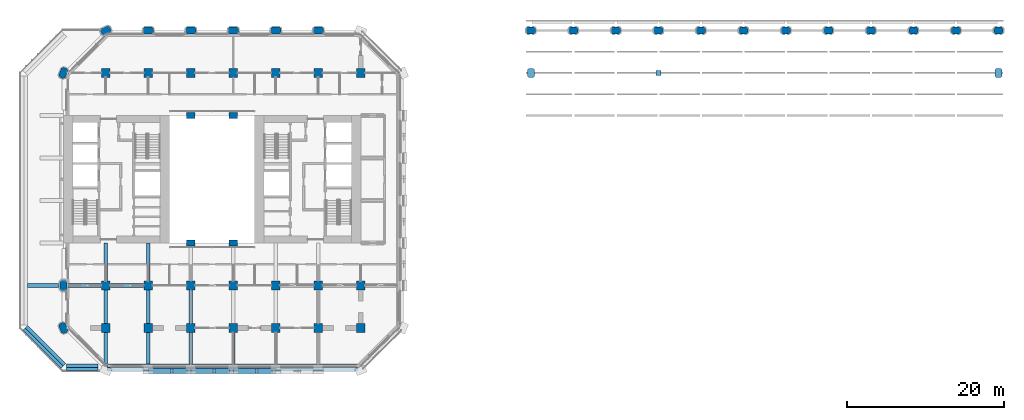
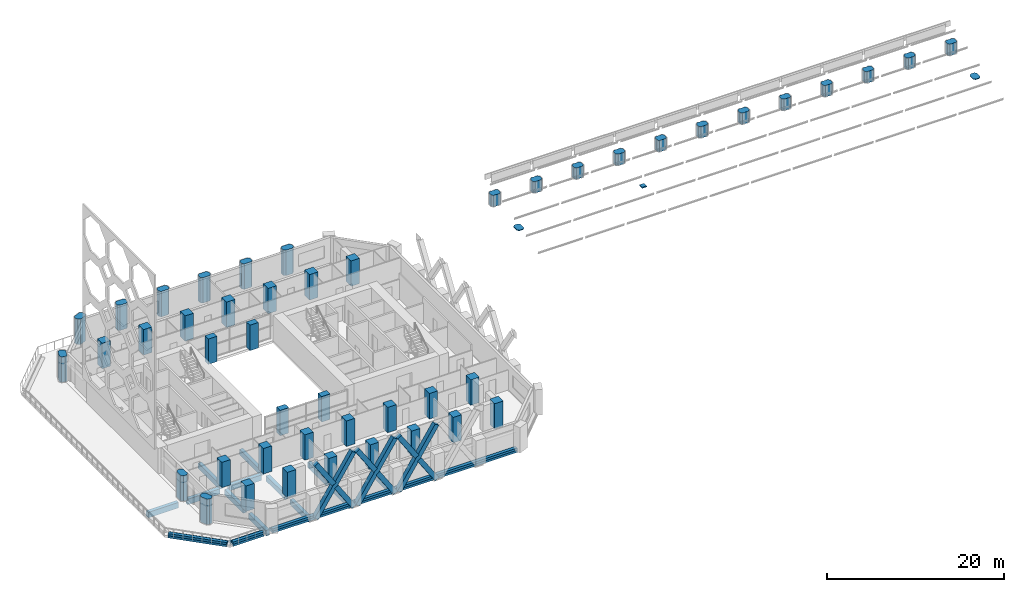
# One storey, part 1 of 14: 49 columns, 18 beams, 9 members.
"""IFC4 building model written with IfcOpenShell, lengths in metres."""

import ifcopenshell
import ifcopenshell.guid

model = None  # the IFC model being written
_history = None  # IfcOwnerHistory: only IFC2X3 demands one
_inside = {}  # id of a spatial element -> (the spatial element, [elements in it])
_under = {}  # id of a project, library or spatial element -> (it, [spatial elements below it])
_declared = {}  # id of a project -> (the project, [libraries it declares])
_typed = {}  # id of a type object -> (the type object, [elements of that type])
_made_of = {}  # id of a material, layer set ... -> (it, [elements and type objects made of it])


def new_model(schema):
    """Start an empty IFC model of exactly this schema.

    Asked for "IFC4X3", IfcOpenShell would pick the latest addendum, in which some entities
    have other attributes; the version numbers below select the first issue.
    IFC2X3 requires an IfcOwnerHistory on every rooted entity: one is made here for all.
    """
    global model, _history
    if schema == "IFC4X3":
        model = ifcopenshell.file(schema_version=(4, 3, 0, 0))
    else:
        model = ifcopenshell.file(schema=schema)
    _inside.clear()
    _under.clear()
    _declared.clear()
    _typed.clear()
    _made_of.clear()
    _history = None
    if model.schema == "IFC2X3":
        org = make("IfcOrganization", Name="unknown")
        user = make(
            "IfcPersonAndOrganization",
            ThePerson=make("IfcPerson", FamilyName="unknown"),
            TheOrganization=org,
        )
        app = make(
            "IfcApplication",
            ApplicationDeveloper=org,
            Version="unknown",
            ApplicationFullName="unknown",
            ApplicationIdentifier="unknown",
        )
        _history = make(
            "IfcOwnerHistory",
            OwningUser=user,
            OwningApplication=app,
            ChangeAction="ADDED",
            CreationDate=0,
        )
    return model


def make(cls, **values):
    """One entity of the class cls with the attributes given. An attribute that is None is left unset."""
    return model.create_entity(
        cls, **{name: value for name, value in values.items() if value is not None}
    )


def rooted(cls, **values):
    """An entity with a GlobalId (a new one), such as an element, a storey or a relation."""
    return make(cls, GlobalId=ifcopenshell.guid.new(), OwnerHistory=_history, **values)


def si_unit(unit_type, name, prefix=None):
    """IfcSIUnit, for example si_unit("LENGTHUNIT", "METRE", prefix="MILLI")."""
    return make("IfcSIUnit", UnitType=unit_type, Prefix=prefix, Name=name)


def assignment(units):
    """IfcUnitAssignment: the units of a project."""
    return None if units is None else make("IfcUnitAssignment", Units=units)


def point(xyz):
    """IfcCartesianPoint."""
    return None if xyz is None else make("IfcCartesianPoint", Coordinates=xyz)


def direction(xyz):
    """IfcDirection."""
    return None if xyz is None else make("IfcDirection", DirectionRatios=xyz)


def frame(location, z_axis=None, x_axis=None):
    """IfcAxis2Placement3D, a coordinate frame: its origin and axes. An axis left out is left unset."""
    return make(
        "IfcAxis2Placement3D",
        Location=point(location),
        Axis=direction(z_axis),
        RefDirection=direction(x_axis),
    )


def frame_2d(location, x_axis=None):
    """IfcAxis2Placement2D, a coordinate frame in the plane: its origin and x axis."""
    return make(
        "IfcAxis2Placement2D", Location=point(location), RefDirection=direction(x_axis)
    )


def origin():
    """The frame at (0, 0, 0) with its axes left unset."""
    return frame((0.0, 0.0, 0.0))


def origin_2d():
    """The frame at (0, 0) in the plane with its x axis left unset."""
    return frame_2d((0.0, 0.0))


def place(relative_to, where):
    """IfcLocalPlacement: puts the frame where relative to a parent placement (None: the world)."""
    return make(
        "IfcLocalPlacement", PlacementRelTo=relative_to, RelativePlacement=where
    )


def context(
    kind, dimensions, precision=None, world=None, true_north=None, identifier=None
):
    """IfcGeometricRepresentationContext, for example the 3D "Model" context."""
    return make(
        "IfcGeometricRepresentationContext",
        ContextIdentifier=identifier,
        ContextType=kind,
        CoordinateSpaceDimension=dimensions,
        Precision=precision,
        WorldCoordinateSystem=world,
        TrueNorth=true_north,
    )


def subcontext(parent, identifier, kind, view, scale=None):
    """IfcGeometricRepresentationSubContext, for example "Body" below "Model"."""
    return make(
        "IfcGeometricRepresentationSubContext",
        ContextIdentifier=identifier,
        ContextType=kind,
        ParentContext=parent,
        TargetScale=scale,
        TargetView=view,
    )


def project(units=None, contexts=None):
    """IfcProject with its units and contexts."""
    return rooted(
        "IfcProject",
        Name="project",
        RepresentationContexts=contexts,
        UnitsInContext=assignment(units),
    )


def spatial(cls, under=None, at=None, **own):
    """A site, building, storey or space (cls), placed at a placement, below another one or the project."""
    s = rooted(cls, ObjectPlacement=at, **own)
    if under is not None:
        _under.setdefault(under.id(), (under, []))[1].append(s)
    return s


def polyline(points):
    """IfcPolyline through the points."""
    return make("IfcPolyline", Points=[point(p) for p in points])


def profile(cls, at=None, kind="AREA", **sizes):
    """A parametric profile (cls). Its sizes go by their IFC names, for example OverallWidth=200.0."""
    return make(cls, ProfileType=kind, Position=at, **sizes)


def rectangle(**sizes):
    """IfcRectangleProfileDef."""
    return profile("IfcRectangleProfileDef", **sizes)


def outline(outer, holes=None, kind="AREA"):
    """IfcArbitraryClosedProfileDef: a profile drawn as a closed curve; with holes, ...WithVoids."""
    if holes is None:
        return make("IfcArbitraryClosedProfileDef", ProfileType=kind, OuterCurve=outer)
    return make(
        "IfcArbitraryProfileDefWithVoids",
        ProfileType=kind,
        OuterCurve=outer,
        InnerCurves=holes,
    )


def extrude(swept, where, along, depth):
    """IfcExtrudedAreaSolid: the profile swept, set in the frame where, extruded along a direction by depth."""
    return make(
        "IfcExtrudedAreaSolid",
        SweptArea=swept,
        Position=where,
        ExtrudedDirection=direction(along),
        Depth=depth,
    )


def shape(context_of_items, identifier, shape_type, items):
    """IfcShapeRepresentation: the items that make up one representation, for example the "Body"."""
    return make(
        "IfcShapeRepresentation",
        ContextOfItems=context_of_items,
        RepresentationIdentifier=identifier,
        RepresentationType=shape_type,
        Items=items,
    )


def material(Name=None, Category=None):
    """IfcMaterial."""
    return make("IfcMaterial", Name=Name, Category=Category)


def material_profile(
    of_material, cross_section, Name=None, Category=None, Priority=None
):
    """IfcMaterialProfile: a cross section and its material."""
    return make(
        "IfcMaterialProfile",
        Name=Name,
        Material=of_material,
        Profile=cross_section,
        Priority=Priority,
        Category=Category,
    )


def profile_set(profiles, Name=None, composite=None):
    """IfcMaterialProfileSet."""
    return make(
        "IfcMaterialProfileSet",
        Name=Name,
        MaterialProfiles=profiles,
        CompositeProfile=composite,
    )


def made_of(thing, what):
    """Note that an element or type object is made of a material, layer set ...; save() writes the relation."""
    if what is not None:
        _made_of.setdefault(what.id(), (what, []))[1].append(thing)
    return thing


def type_object(cls, material=None, **own):
    """A type object (cls), such as IfcWallType, which elements share."""
    return made_of(rooted(cls, **own), material)


def element(
    cls,
    number,
    at=None,
    inside=None,
    cuts=None,
    type_object=None,
    material=None,
    context=None,
    identifier="Body",
    shape_type=None,
    held_by="IfcProductDefinitionShape",
    body=None,
    shapes=None,
    **own,
):
    """One element of the class cls, such as IfcWall. Its Tag is "e" and its number.

    at: its placement. inside: the storey or other place that contains it. cuts: it is an
    opening in that element (IfcRelVoidsElement). A single representation is given by context,
    identifier, shape_type and body (its items); several are given by shapes. held_by: the class
    of the entity that holds the representations. save() writes the other relations.
    """
    e = rooted(cls, Tag="e%d" % number, ObjectPlacement=at, **own)
    if body is not None:
        shapes = [shape(context, identifier, shape_type, body)]
    if shapes is not None:
        e.Representation = make(held_by, Representations=shapes)
    if inside is not None:
        _inside.setdefault(inside.id(), (inside, []))[1].append(e)
    if cuts is not None:
        rooted(
            "IfcRelVoidsElement", RelatingBuildingElement=cuts, RelatedOpeningElement=e
        )
    if type_object is not None:
        _typed.setdefault(type_object.id(), (type_object, []))[1].append(e)
    return made_of(e, material)


def aggregate(whole, parts):
    """IfcRelAggregates: a whole, such as a stair, and the parts it consists of."""
    return rooted("IfcRelAggregates", RelatingObject=whole, RelatedObjects=parts)


def save(model, path):
    """Write the relations noted so far, then the file.

    IfcRelAggregates (storeys below a building ...), IfcRelContainedInSpatialStructure (elements
    in a storey), IfcRelDefinesByType, IfcRelAssociatesMaterial and IfcRelDeclares: one each for
    every whole, place, type object, material and project.
    """
    for whole, parts in _under.values():
        aggregate(whole, parts)
    for where, things in _inside.values():
        rooted(
            "IfcRelContainedInSpatialStructure",
            RelatedElements=things,
            RelatingStructure=where,
        )
    for kind, things in _typed.values():
        rooted("IfcRelDefinesByType", RelatedObjects=things, RelatingType=kind)
    for what, things in _made_of.values():
        rooted("IfcRelAssociatesMaterial", RelatedObjects=things, RelatingMaterial=what)
    for by, libraries in _declared.values():
        rooted("IfcRelDeclares", RelatingContext=by, RelatedDefinitions=libraries)
    model.write(path)


model = new_model("IFC4")

# Units and contexts
model_context = context("Model", 3, precision=1e-05, world=origin(), true_north=direction((0.0, 1.0)))
body_context = subcontext(model_context, "Body", "Model", "MODEL_VIEW")
ifc_project = project(units=[si_unit("LENGTHUNIT", "METRE"), si_unit("AREAUNIT", "SQUARE_METRE"), si_unit("VOLUMEUNIT", "CUBIC_METRE"), si_unit("PLANEANGLEUNIT", "RADIAN"), si_unit("MASSUNIT", "GRAM", prefix="KILO")], contexts=[model_context])

# Site, building, storey
site_placement = place(None, origin())
site = spatial("IfcSite", under=ifc_project, at=site_placement, CompositionType="ELEMENT")
building_placement = place(site_placement, origin())
building = spatial("IfcBuilding", under=site, at=building_placement, Name="Tabaq Tower and Sports Hall", CompositionType="ELEMENT")
storey_placement = place(building_placement, frame((0.0, 0.0, 33.60009765625)))
storey = spatial("IfcBuildingStorey", under=building, at=storey_placement, Name="L06", CompositionType="ELEMENT", Elevation=33.60009765625)

# Columns
ifc_material_1 = material(Name="Concrete C50/60", Category="concrete")
ifc_material_profile_1 = material_profile(ifc_material_1, rectangle(XDim=0.60009765625, YDim=0.60009765625, at=origin_2d()), Name="RC 600x600")
ifc_profile_set_1 = profile_set([ifc_material_profile_1], Name="Concrete C50/60")
column_type_1 = type_object("IfcColumnType", Name="HALL COLUMN RC 600x600", PredefinedType="COLUMN", material=ifc_profile_set_1)
column_1_placement = place(storey_placement, frame((81.0, 37.800048828125, 0.0), z_axis=(0.0, 0.0, 1.0), x_axis=(1.0, 0.0, 0.0)))
element("IfcColumn", 1, at=column_1_placement, inside=storey, type_object=column_type_1, Name="Column 16H L06", PredefinedType="COLUMN", context=body_context, shape_type="SweptSolid", body=[
    extrude(rectangle(XDim=0.60009765625, YDim=0.60009765625, at=origin_2d()), origin(), (0.0, 0.0, 1.0), 0.170166015625),
])
ifc_material_2 = material(Name="Concrete C50/60", Category="concrete")
ifc_material_profile_2 = material_profile(ifc_material_2, outline(polyline([(-0.39990234375, -0.449951171875), (0.39990234375, -0.449951171875), (0.60009765625, -0.25), (0.60009765625, 0.25), (0.39990234375, 0.449951171875), (-0.39990234375, 0.449951171875), (-0.60009765625, 0.25), (-0.60009765625, -0.25), (-0.39990234375, -0.449951171875)])), Name="PIER 1200x900")
ifc_profile_set_2 = profile_set([ifc_material_profile_2], Name="Concrete C50/60")
column_type_2 = type_object("IfcColumnType", Name="HALL PIER RC 1200x900", PredefinedType="COLUMN", material=ifc_profile_set_2)
column_2_placement = place(storey_placement, frame((64.800048828125, 37.800048828125, 0.0), z_axis=(0.0, 0.0, 1.0), x_axis=(0.0, 1.0, 0.0)))
element("IfcColumn", 2, at=column_2_placement, inside=storey, type_object=column_type_2, Name="Pier 13H L06", PredefinedType="COLUMN", context=body_context, shape_type="SweptSolid", body=[
    extrude(outline(polyline([(-0.39990234375, -0.449951171875), (0.39990234375, -0.449951171875), (0.60009765625, -0.25), (0.60009765625, 0.25), (0.39990234375, 0.449951171875), (-0.39990234375, 0.449951171875), (-0.60009765625, 0.25), (-0.60009765625, -0.25), (-0.39990234375, -0.449951171875)])), origin(), (0.0, 0.0, 1.0), 0.08984375),
])
for number, where, z_axis, x_axis, name in (
    (3, (64.800048828125, 43.199951171875, 0.0), (0.0, 0.0, 1.0), (1.0, 0.0, 0.0), "Pier 13I L06"),
    (4, (70.199951171875, 43.199951171875, 0.0), (0.0, 0.0, 1.0), (1.0, 0.0, 0.0), "Pier 14I L06"),
    (5, (75.60009765625, 43.199951171875, 0.0), (0.0, 0.0, 1.0), (1.0, 0.0, 0.0), "Pier 15I L06"),
    (6, (81.0, 43.199951171875, 0.0), (0.0, 0.0, 1.0), (1.0, 0.0, 0.0), "Pier 16I L06"),
    (7, (86.39990234375, 43.199951171875, 0.0), (0.0, 0.0, 1.0), (1.0, 0.0, 0.0), "Pier 17I L06"),
    (8, (91.800048828125, 43.199951171875, 0.0), (0.0, 0.0, 1.0), (1.0, 0.0, 0.0), "Pier 18I L06"),
    (9, (97.199951171875, 43.199951171875, 0.0), (0.0, 0.0, 1.0), (1.0, 0.0, 0.0), "Pier 19I L06"),
    (10, (102.60009765625, 43.199951171875, 0.0), (0.0, 0.0, 1.0), (1.0, 0.0, 0.0), "Pier 20I L06"),
    (11, (108.0, 43.199951171875, 0.0), (0.0, 0.0, 1.0), (1.0, 0.0, 0.0), "Pier 21I L06"),
    (12, (113.39990234375, 43.199951171875, 0.0), (0.0, 0.0, 1.0), (1.0, 0.0, 0.0), "Pier 22I L06"),
    (13, (118.800048828125, 43.199951171875, 0.0), (0.0, 0.0, 1.0), (1.0, 0.0, 0.0), "Pier 23I L06"),
):
    element("IfcColumn", number, at=place(storey_placement, frame(where, z_axis=z_axis, x_axis=x_axis)), inside=storey, type_object=column_type_2, Name=name, PredefinedType="COLUMN", context=body_context, shape_type="SweptSolid", body=[
        extrude(outline(polyline([(-0.39990234375, -0.449951171875), (0.39990234375, -0.449951171875), (0.60009765625, -0.25), (0.60009765625, 0.25), (0.39990234375, 0.449951171875), (-0.39990234375, 0.449951171875), (-0.60009765625, 0.25), (-0.60009765625, -0.25), (-0.39990234375, -0.449951171875)])), origin(), (0.0, 0.0, 1.0), 1.576904296875),
    ])
column_3_placement = place(storey_placement, frame((124.199951171875, 37.800048828125, 0.0), z_axis=(0.0, 0.0, 1.0), x_axis=(0.0, 1.0, 0.0)))
element("IfcColumn", 14, at=column_3_placement, inside=storey, type_object=column_type_2, Name="Pier 24H L06", PredefinedType="COLUMN", context=body_context, shape_type="SweptSolid", body=[
    extrude(outline(polyline([(-0.39990234375, -0.449951171875), (0.39990234375, -0.449951171875), (0.60009765625, -0.25), (0.60009765625, 0.25), (0.39990234375, 0.449951171875), (-0.39990234375, 0.449951171875), (-0.60009765625, 0.25), (-0.60009765625, -0.25), (-0.39990234375, -0.449951171875)])), origin(), (0.0, 0.0, 1.0), 0.08984375),
])
column_4_placement = place(storey_placement, frame((124.199951171875, 43.199951171875, 0.0), z_axis=(0.0, 0.0, 1.0), x_axis=(1.0, 0.0, 0.0)))
element("IfcColumn", 15, at=column_4_placement, inside=storey, type_object=column_type_2, Name="Pier 24I L06", PredefinedType="COLUMN", context=body_context, shape_type="SweptSolid", body=[
    extrude(outline(polyline([(-0.39990234375, -0.449951171875), (0.39990234375, -0.449951171875), (0.60009765625, -0.25), (0.60009765625, 0.25), (0.39990234375, 0.449951171875), (-0.39990234375, 0.449951171875), (-0.60009765625, 0.25), (-0.60009765625, -0.25), (-0.39990234375, -0.449951171875)])), origin(), (0.0, 0.0, 1.0), 1.576904296875),
])
ifc_material_3 = material(Name="Concrete C60/75", Category="concrete")
ifc_material_profile_3 = material_profile(ifc_material_3, rectangle(XDim=1.10009765625, YDim=0.800048828125, at=origin_2d()), Name="ATRIUM COLUMN 1100x800")
ifc_profile_set_3 = profile_set([ifc_material_profile_3], Name="Concrete C60/75")
column_type_3 = type_object("IfcColumnType", Name="RC COLUMN ATRIUM COLUMN 1100x800 C60/75", PredefinedType="COLUMN", material=ifc_profile_set_3)
for number, where, z_axis, x_axis, name in (
    (16, (21.60009765625, 16.199951171875, 0.0), (0.0, 0.0, 1.0), (1.0, 0.0, 0.0), "Atrium Column 5/D L06"),
    (17, (27.0, 16.199951171875, 0.0), (0.0, 0.0, 1.0), (1.0, 0.0, 0.0), "Atrium Column 6/D L06"),
    (18, (21.60009765625, 32.39990234375, 0.0), (0.0, 0.0, 1.0), (1.0, 0.0, 0.0), "Atrium Column 5/G L06"),
    (19, (27.0, 32.39990234375, 0.0), (0.0, 0.0, 1.0), (1.0, 0.0, 0.0), "Atrium Column 6/G L06"),
):
    element("IfcColumn", number, at=place(storey_placement, frame(where, z_axis=z_axis, x_axis=x_axis)), inside=storey, type_object=column_type_3, Name=name, PredefinedType="COLUMN", context=body_context, shape_type="SweptSolid", body=[
        extrude(rectangle(XDim=1.10009765625, YDim=0.800048828125, at=origin_2d()), origin(), (0.0, 0.0, 1.0), 3.5),
    ])
ifc_material_4 = material(Name="Concrete C60/75", Category="concrete")
ifc_material_profile_4 = material_profile(ifc_material_4, rectangle(XDim=1.10009765625, YDim=1.10009765625, at=origin_2d()), Name="COLUMN 1100x1100")
ifc_profile_set_4 = profile_set([ifc_material_profile_4], Name="Concrete C60/75")
column_type_4 = type_object("IfcColumnType", Name="RC COLUMN COLUMN 1100x1100 C60/75", PredefinedType="COLUMN", material=ifc_profile_set_4)
for number, where, z_axis, x_axis, name in (
    (20, (10.800048828125, 5.39990234375, 0.0), (0.0, 0.0, 1.0), (1.0, 0.0, 0.0), "Column 3/B L06"),
    (21, (16.199951171875, 5.39990234375, 0.0), (0.0, 0.0, 1.0), (1.0, 0.0, 0.0), "Column 4/B L06"),
    (22, (21.60009765625, 5.39990234375, 0.0), (0.0, 0.0, 1.0), (1.0, 0.0, 0.0), "Column 5/B L06"),
    (23, (27.0, 5.39990234375, 0.0), (0.0, 0.0, 1.0), (1.0, 0.0, 0.0), "Column 6/B L06"),
    (24, (32.39990234375, 5.39990234375, 0.0), (0.0, 0.0, 1.0), (1.0, 0.0, 0.0), "Column 7/B L06"),
    (25, (37.800048828125, 5.39990234375, 0.0), (0.0, 0.0, 1.0), (1.0, 0.0, 0.0), "Column 8/B L06"),
    (26, (43.199951171875, 5.39990234375, 0.0), (0.0, 0.0, 1.0), (1.0, 0.0, 0.0), "Column 9/B L06"),
    (27, (10.800048828125, 10.800048828125, 0.0), (0.0, 0.0, 1.0), (1.0, 0.0, 0.0), "Column 3/C L06"),
    (28, (16.199951171875, 10.800048828125, 0.0), (0.0, 0.0, 1.0), (1.0, 0.0, 0.0), "Column 4/C L06"),
    (29, (21.60009765625, 10.800048828125, 0.0), (0.0, 0.0, 1.0), (1.0, 0.0, 0.0), "Column 5/C L06"),
    (30, (27.0, 10.800048828125, 0.0), (0.0, 0.0, 1.0), (1.0, 0.0, 0.0), "Column 6/C L06"),
    (31, (32.39990234375, 10.800048828125, 0.0), (0.0, 0.0, 1.0), (1.0, 0.0, 0.0), "Column 7/C L06"),
    (32, (37.800048828125, 10.800048828125, 0.0), (0.0, 0.0, 1.0), (1.0, 0.0, 0.0), "Column 8/C L06"),
    (33, (43.199951171875, 10.800048828125, 0.0), (0.0, 0.0, 1.0), (1.0, 0.0, 0.0), "Column 9/C L06"),
    (34, (10.800048828125, 37.800048828125, 0.0), (0.0, 0.0, 1.0), (1.0, 0.0, 0.0), "Column 3/H L06"),
    (35, (16.199951171875, 37.800048828125, 0.0), (0.0, 0.0, 1.0), (1.0, 0.0, 0.0), "Column 4/H L06"),
    (36, (21.60009765625, 37.800048828125, 0.0), (0.0, 0.0, 1.0), (1.0, 0.0, 0.0), "Column 5/H L06"),
    (37, (27.0, 37.800048828125, 0.0), (0.0, 0.0, 1.0), (1.0, 0.0, 0.0), "Column 6/H L06"),
    (38, (32.39990234375, 37.800048828125, 0.0), (0.0, 0.0, 1.0), (1.0, 0.0, 0.0), "Column 7/H L06"),
    (39, (37.800048828125, 37.800048828125, 0.0), (0.0, 0.0, 1.0), (1.0, 0.0, 0.0), "Column 8/H L06"),
    (40, (43.199951171875, 37.800048828125, 0.0), (0.0, 0.0, 1.0), (1.0, 0.0, 0.0), "Column 9/H L06"),
):
    element("IfcColumn", number, at=place(storey_placement, frame(where, z_axis=z_axis, x_axis=x_axis)), inside=storey, type_object=column_type_4, Name=name, PredefinedType="COLUMN", context=body_context, shape_type="SweptSolid", body=[
        extrude(rectangle(XDim=1.10009765625, YDim=1.10009765625, at=origin_2d()), origin(), (0.0, 0.0, 1.0), 3.5),
    ])
ifc_material_5 = material(Name="Concrete C60/75", Category="concrete")
ifc_material_profile_5 = material_profile(ifc_material_5, outline(polyline([(-0.449951171875, -0.449951171875), (0.449951171875, -0.449951171875), (0.675048828125, -0.22509765625), (0.675048828125, 0.22509765625), (0.449951171875, 0.449951171875), (-0.449951171875, 0.449951171875), (-0.675048828125, 0.22509765625), (-0.675048828125, -0.22509765625), (-0.449951171875, -0.449951171875)])), Name="PIER 1350x900")
ifc_profile_set_5 = profile_set([ifc_material_profile_5], Name="Concrete C60/75")
column_type_5 = type_object("IfcColumnType", Name="RC COLUMN PIER 1350x900 C60/75", PredefinedType="COLUMN", material=ifc_profile_set_5)
for number, where, z_axis, x_axis, name in (
    (41, (5.39990234375, 5.39990234375, 0.0), (0.0, 0.0, 1.0), (-0.382683432365, 0.923879532511, 0.0), "Pier 2/B L06"),
    (42, (5.39990234375, 10.800048828125, 0.0), (0.0, 0.0, 1.0), (0.0, 1.0, 0.0), "Pier 2/C L06"),
    (43, (5.39990234375, 37.800048828125, 0.0), (0.0, 0.0, 1.0), (0.382683432365, 0.923879532511, 0.0), "Pier 2/H L06"),
    (44, (10.800048828125, 43.199951171875, 0.0), (0.0, 0.0, 1.0), (0.923879532511, 0.382683432365, 0.0), "Pier 3/I L06"),
    (45, (16.199951171875, 43.199951171875, 0.0), (0.0, 0.0, 1.0), (1.0, 0.0, 0.0), "Pier 4/I L06"),
    (46, (21.60009765625, 43.199951171875, 0.0), (0.0, 0.0, 1.0), (1.0, 0.0, 0.0), "Pier 5/I L06"),
    (47, (27.0, 43.199951171875, 0.0), (0.0, 0.0, 1.0), (1.0, 0.0, 0.0), "Pier 6/I L06"),
    (48, (32.39990234375, 43.199951171875, 0.0), (0.0, 0.0, 1.0), (1.0, 0.0, 0.0), "Pier 7/I L06"),
    (49, (37.800048828125, 43.199951171875, 0.0), (0.0, 0.0, 1.0), (1.0, 0.0, 0.0), "Pier 8/I L06"),
):
    element("IfcColumn", number, at=place(storey_placement, frame(where, z_axis=z_axis, x_axis=x_axis)), inside=storey, type_object=column_type_5, Name=name, PredefinedType="COLUMN", context=body_context, shape_type="SweptSolid", body=[
        extrude(outline(polyline([(-0.449951171875, -0.449951171875), (0.449951171875, -0.449951171875), (0.675048828125, -0.22509765625), (0.675048828125, 0.22509765625), (0.449951171875, 0.449951171875), (-0.449951171875, 0.449951171875), (-0.675048828125, 0.22509765625), (-0.675048828125, -0.22509765625), (-0.449951171875, -0.449951171875)])), origin(), (0.0, 0.0, 1.0), 3.5),
    ])

# Beams
ifc_material_6 = material(Name="Concrete C40/50", Category="concrete")
ifc_material_profile_6 = material_profile(ifc_material_6, rectangle(XDim=0.449951171875, YDim=0.75, at=origin_2d()), Name="CB 450x750")
ifc_profile_set_6 = profile_set([ifc_material_profile_6], Name="Concrete C40/50")
beam_type_1 = type_object("IfcBeamType", Name="PT CANTILEVER BEAM CB 450x750 C40/50", PredefinedType="BEAM", material=ifc_profile_set_6)
beam_1_placement = place(storey_placement, frame((0.85009765625, 10.800048828125, -0.675048828125), z_axis=(1.0, 0.0, 0.0), x_axis=(0.0, 1.0, 0.0)))
element("IfcBeam", 50, at=beam_1_placement, inside=storey, type_object=beam_type_1, Name="Cantilever Beam L06 W2 span 1", PredefinedType="BEAM", context=body_context, shape_type="SweptSolid", body=[
    extrude(rectangle(XDim=0.449951171875, YDim=0.75, at=origin_2d()), origin(), (0.0, 0.0, 1.0), 3.949951171875),
])
beam_2_placement = place(storey_placement, frame((6.0, 10.800048828125, -0.675048828125), z_axis=(1.0, 0.0, 0.0), x_axis=(0.0, 1.0, 0.0)))
element("IfcBeam", 51, at=beam_2_placement, inside=storey, type_object=beam_type_1, Name="Cantilever Beam L06 W2 span 2", PredefinedType="BEAM", context=body_context, shape_type="SweptSolid", body=[
    extrude(rectangle(XDim=0.449951171875, YDim=0.75, at=origin_2d()), origin(), (0.0, 0.0, 1.0), 4.199951171875),
])
beam_3_placement = place(storey_placement, frame((11.39990234375, 10.800048828125, -0.675048828125), z_axis=(1.0, 0.0, 0.0), x_axis=(0.0, 1.0, 0.0)))
element("IfcBeam", 52, at=beam_3_placement, inside=storey, type_object=beam_type_1, Name="Cantilever Beam L06 W2 span 3", PredefinedType="BEAM", context=body_context, shape_type="SweptSolid", body=[
    extrude(rectangle(XDim=0.449951171875, YDim=0.75, at=origin_2d()), origin(), (0.0, 0.0, 1.0), 4.2001953125),
])
beam_4_placement = place(storey_placement, frame((10.800048828125, 0.85009765625, -0.675048828125), z_axis=(0.0, 1.0, 0.0), x_axis=(-1.0, 0.0, 0.0)))
element("IfcBeam", 53, at=beam_4_placement, inside=storey, type_object=beam_type_1, Name="Cantilever Beam L06 S2 span 1", PredefinedType="BEAM", context=body_context, shape_type="SweptSolid", body=[
    extrude(rectangle(XDim=0.449951171875, YDim=0.75, at=origin_2d()), origin(), (0.0, 0.0, 1.0), 3.949951171875),
])
beam_5_placement = place(storey_placement, frame((10.800048828125, 6.0, -0.675048828125), z_axis=(0.0, 1.0, 0.0), x_axis=(-1.0, 0.0, 0.0)))
element("IfcBeam", 54, at=beam_5_placement, inside=storey, type_object=beam_type_1, Name="Cantilever Beam L06 S2 span 2", PredefinedType="BEAM", context=body_context, shape_type="SweptSolid", body=[
    extrude(rectangle(XDim=0.449951171875, YDim=0.75, at=origin_2d()), origin(), (0.0, 0.0, 1.0), 4.199951171875),
])
beam_6_placement = place(storey_placement, frame((10.800048828125, 11.39990234375, -0.675048828125), z_axis=(0.0, 1.0, 0.0), x_axis=(-1.0, 0.0, 0.0)))
element("IfcBeam", 55, at=beam_6_placement, inside=storey, type_object=beam_type_1, Name="Cantilever Beam L06 S2 span 3", PredefinedType="BEAM", context=body_context, shape_type="SweptSolid", body=[
    extrude(rectangle(XDim=0.449951171875, YDim=0.75, at=origin_2d()), origin(), (0.0, 0.0, 1.0), 4.800048828125),
])
beam_7_placement = place(storey_placement, frame((16.199951171875, 0.85009765625, -0.675048828125), z_axis=(0.0, 1.0, 0.0), x_axis=(-1.0, 0.0, 0.0)))
element("IfcBeam", 56, at=beam_7_placement, inside=storey, type_object=beam_type_1, Name="Cantilever Beam L06 S3 span 1", PredefinedType="BEAM", context=body_context, shape_type="SweptSolid", body=[
    extrude(rectangle(XDim=0.449951171875, YDim=0.75, at=origin_2d()), origin(), (0.0, 0.0, 1.0), 3.949951171875),
])
beam_8_placement = place(storey_placement, frame((16.199951171875, 6.0, -0.675048828125), z_axis=(0.0, 1.0, 0.0), x_axis=(-1.0, 0.0, 0.0)))
element("IfcBeam", 57, at=beam_8_placement, inside=storey, type_object=beam_type_1, Name="Cantilever Beam L06 S3 span 2", PredefinedType="BEAM", context=body_context, shape_type="SweptSolid", body=[
    extrude(rectangle(XDim=0.449951171875, YDim=0.75, at=origin_2d()), origin(), (0.0, 0.0, 1.0), 4.199951171875),
])
beam_9_placement = place(storey_placement, frame((16.199951171875, 11.39990234375, -0.675048828125), z_axis=(0.0, 1.0, 0.0), x_axis=(-1.0, 0.0, 0.0)))
element("IfcBeam", 58, at=beam_9_placement, inside=storey, type_object=beam_type_1, Name="Cantilever Beam L06 S3 span 3", PredefinedType="BEAM", context=body_context, shape_type="SweptSolid", body=[
    extrude(rectangle(XDim=0.449951171875, YDim=0.75, at=origin_2d()), origin(), (0.0, 0.0, 1.0), 4.800048828125),
])
beam_10_placement = place(storey_placement, frame((21.60009765625, 0.85009765625, -0.675048828125), z_axis=(0.0, 1.0, 0.0), x_axis=(-1.0, 0.0, 0.0)))
element("IfcBeam", 59, at=beam_10_placement, inside=storey, type_object=beam_type_1, Name="Cantilever Beam L06 S4 span 1", PredefinedType="BEAM", context=body_context, shape_type="SweptSolid", body=[
    extrude(rectangle(XDim=0.449951171875, YDim=0.75, at=origin_2d()), origin(), (0.0, 0.0, 1.0), 3.949951171875),
])
beam_11_placement = place(storey_placement, frame((21.60009765625, 6.0, -0.675048828125), z_axis=(0.0, 1.0, 0.0), x_axis=(-1.0, 0.0, 0.0)))
element("IfcBeam", 60, at=beam_11_placement, inside=storey, type_object=beam_type_1, Name="Cantilever Beam L06 S4 span 2", PredefinedType="BEAM", context=body_context, shape_type="SweptSolid", body=[
    extrude(rectangle(XDim=0.449951171875, YDim=0.75, at=origin_2d()), origin(), (0.0, 0.0, 1.0), 4.199951171875),
])
beam_12_placement = place(storey_placement, frame((27.0, 0.85009765625, -0.675048828125), z_axis=(0.0, 1.0, 0.0), x_axis=(-1.0, 0.0, 0.0)))
element("IfcBeam", 61, at=beam_12_placement, inside=storey, type_object=beam_type_1, Name="Cantilever Beam L06 S5 span 1", PredefinedType="BEAM", context=body_context, shape_type="SweptSolid", body=[
    extrude(rectangle(XDim=0.449951171875, YDim=0.75, at=origin_2d()), origin(), (0.0, 0.0, 1.0), 3.949951171875),
])
ifc_material_7 = material(Name="Concrete C40/50", Category="concrete")
ifc_material_profile_7 = material_profile(ifc_material_7, rectangle(XDim=0.85009765625, YDim=0.300048828125, at=origin_2d()), Name="EB 850x300")
ifc_profile_set_7 = profile_set([ifc_material_profile_7], Name="Concrete C40/50")
beam_type_2 = type_object("IfcBeamType", Name="PT EDGE BEAM EB 850x300 C40/50", PredefinedType="SPANDREL", material=ifc_profile_set_7)
beam_13_placement = place(storey_placement, frame((10.9619140625, 0.425048828125, -0.150146484375), z_axis=(1.0, 0.0, 0.0), x_axis=(0.0, 1.0, 0.0)))
element("IfcBeam", 62, at=beam_13_placement, inside=storey, type_object=beam_type_2, Name="Edge Beam L06 1", PredefinedType="SPANDREL", context=body_context, shape_type="SweptSolid", body=[
    extrude(rectangle(XDim=0.85009765625, YDim=0.300048828125, at=origin_2d()), origin(), (0.0, 0.0, 1.0), 31.8359375),
])
beam_14_placement = place(storey_placement, frame((0.584716796875, 5.416259765625, -0.150146484375), z_axis=(0.707106781187, -0.707106781187, 0.0), x_axis=(0.707106781187, 0.707106781187, 0.0)))
element("IfcBeam", 63, at=beam_14_placement, inside=storey, type_object=beam_type_2, Name="Edge Beam L06 5", PredefinedType="SPANDREL", context=body_context, shape_type="SweptSolid", body=[
    extrude(rectangle(XDim=0.85009765625, YDim=0.300048828125, at=origin_2d()), origin(), (0.0, 0.0, 1.0), 6.832763671875),
])
beam_15_placement = place(storey_placement, frame((5.802001953125, 0.425048828125, -0.150146484375), z_axis=(1.0, 0.0, 0.0), x_axis=(0.0, 1.0, 0.0)))
element("IfcBeam", 64, at=beam_15_placement, inside=storey, type_object=beam_type_2, Name="Edge Beam L06 6", PredefinedType="SPANDREL", context=body_context, shape_type="SweptSolid", body=[
    extrude(rectangle(XDim=0.85009765625, YDim=0.300048828125, at=origin_2d()), origin(), (0.0, 0.0, 1.0), 3.986083984375),
])
ifc_material_8 = material(Name="Concrete C40/50", Category="concrete")
ifc_material_profile_8 = material_profile(ifc_material_8, rectangle(XDim=0.39990234375, YDim=0.300048828125, at=origin_2d()), Name="EU 400x300")
ifc_profile_set_8 = profile_set([ifc_material_profile_8], Name="Concrete C40/50")
beam_type_3 = type_object("IfcBeamType", Name="PT EDGE UPSTAND EU 400x300 C40/50", PredefinedType="BEAM", material=ifc_profile_set_8)
beam_16_placement = place(storey_placement, frame((10.9619140625, 0.199951171875, 0.14990234375), z_axis=(1.0, 0.0, 0.0), x_axis=(0.0, 1.0, 0.0)))
element("IfcBeam", 65, at=beam_16_placement, inside=storey, type_object=beam_type_3, Name="Edge Upstand L06 1", PredefinedType="BEAM", context=body_context, shape_type="SweptSolid", body=[
    extrude(rectangle(XDim=0.39990234375, YDim=0.300048828125, at=origin_2d()), origin(), (0.0, 0.0, 1.0), 31.8359375),
])
beam_17_placement = place(storey_placement, frame((0.42578125, 5.257080078125, 0.14990234375), z_axis=(0.707106781187, -0.707106781187, 0.0), x_axis=(0.707106781187, 0.707106781187, 0.0)))
element("IfcBeam", 66, at=beam_17_placement, inside=storey, type_object=beam_type_3, Name="Edge Upstand L06 5", PredefinedType="BEAM", context=body_context, shape_type="SweptSolid", body=[
    extrude(rectangle(XDim=0.39990234375, YDim=0.300048828125, at=origin_2d()), origin(), (0.0, 0.0, 1.0), 6.83251953125),
])
beam_18_placement = place(storey_placement, frame((5.802001953125, 0.199951171875, 0.14990234375), z_axis=(1.0, 0.0, 0.0), x_axis=(0.0, 1.0, 0.0)))
element("IfcBeam", 67, at=beam_18_placement, inside=storey, type_object=beam_type_3, Name="Edge Upstand L06 6", PredefinedType="BEAM", context=body_context, shape_type="SweptSolid", body=[
    extrude(rectangle(XDim=0.39990234375, YDim=0.300048828125, at=origin_2d()), origin(), (0.0, 0.0, 1.0), 3.986083984375),
])

# Members
ifc_material_9 = material(Name="Concrete C60/75", Category="concrete")
ifc_material_profile_9 = material_profile(ifc_material_9, rectangle(XDim=0.60009765625, YDim=0.60009765625, at=origin_2d()), Name="TRANSFER BAND BRACE 600x600")
ifc_profile_set_9 = profile_set([ifc_material_profile_9], Name="Concrete C60/75")
member_type = type_object("IfcMemberType", Name="RC TRANSFER BAND BRACE 600x600 C60/75", PredefinedType="BRACE", material=ifc_profile_set_9)
member_1_placement = place(storey_placement, frame((16.449951171875, -0.050048828125, -0.050048828125), z_axis=(0.546960043342, 0.0, 0.837158713141), x_axis=(0.0, 1.0, 0.0)))
element("IfcMember", 68, at=member_1_placement, inside=storey, type_object=member_type, Name="Transfer Band Brace L06 South 1", PredefinedType="BRACE", context=body_context, shape_type="SweptSolid", body=[
    extrude(rectangle(XDim=0.60009765625, YDim=0.60009765625, at=origin_2d()), origin(), (0.0, 0.0, 1.0), 8.958984375),
])
for number, where, z_axis, x_axis, name in (
    (69, (21.35009765625, -0.050048828125, -0.050048828125), (-0.546980074693, 0.0, 0.837145625258), (0.0, -1.0, 0.0), "Transfer Band Brace L06 South 2"),
    (70, (18.748291015625, -0.050048828125, 3.932373046875), (-0.546980074693, 0.0, 0.837145625258), (0.0, -1.0, 0.0), "Transfer Band Brace L06 South 3"),
):
    element("IfcMember", number, at=place(storey_placement, frame(where, z_axis=z_axis, x_axis=x_axis)), inside=storey, type_object=member_type, Name=name, PredefinedType="BRACE", context=body_context, shape_type="SweptSolid", body=[
        extrude(rectangle(XDim=0.60009765625, YDim=0.60009765625, at=origin_2d()), origin(), (0.0, 0.0, 1.0), 4.201904296875),
    ])
member_2_placement = place(storey_placement, frame((21.85009765625, -0.050048828125, -0.050048828125), z_axis=(0.546940944285, 0.0, 0.837171191253), x_axis=(0.0, 1.0, 0.0)))
element("IfcMember", 71, at=member_2_placement, inside=storey, type_object=member_type, Name="Transfer Band Brace L06 South 4", PredefinedType="BRACE", context=body_context, shape_type="SweptSolid", body=[
    extrude(rectangle(XDim=0.60009765625, YDim=0.60009765625, at=origin_2d()), origin(), (0.0, 0.0, 1.0), 8.958740234375),
])
for number, where, z_axis, x_axis, name in (
    (72, (26.75, -0.050048828125, -0.050048828125), (-0.546939353543, 0.0, 0.837172230516), (0.0, -1.0, 0.0), "Transfer Band Brace L06 South 5"),
    (73, (24.148193359375, -0.050048828125, 3.932373046875), (-0.546939353543, 0.0, 0.837172230516), (0.0, -1.0, 0.0), "Transfer Band Brace L06 South 6"),
):
    element("IfcMember", number, at=place(storey_placement, frame(where, z_axis=z_axis, x_axis=x_axis)), inside=storey, type_object=member_type, Name=name, PredefinedType="BRACE", context=body_context, shape_type="SweptSolid", body=[
        extrude(rectangle(XDim=0.60009765625, YDim=0.60009765625, at=origin_2d()), origin(), (0.0, 0.0, 1.0), 4.20166015625),
    ])
member_3_placement = place(storey_placement, frame((27.25, -0.050048828125, -0.050048828125), z_axis=(0.546940944285, 0.0, 0.837171191253), x_axis=(0.0, 1.0, 0.0)))
element("IfcMember", 74, at=member_3_placement, inside=storey, type_object=member_type, Name="Transfer Band Brace L06 South 7", PredefinedType="BRACE", context=body_context, shape_type="SweptSolid", body=[
    extrude(rectangle(XDim=0.60009765625, YDim=0.60009765625, at=origin_2d()), origin(), (0.0, 0.0, 1.0), 8.958740234375),
])
for number, where, z_axis, x_axis, name in (
    (75, (32.14990234375, -0.050048828125, -0.050048828125), (-0.546939353543, 0.0, 0.837172230516), (0.0, -1.0, 0.0), "Transfer Band Brace L06 South 8"),
    (76, (29.548095703125, -0.050048828125, 3.932373046875), (-0.546939353543, 0.0, 0.837172230516), (0.0, -1.0, 0.0), "Transfer Band Brace L06 South 9"),
):
    element("IfcMember", number, at=place(storey_placement, frame(where, z_axis=z_axis, x_axis=x_axis)), inside=storey, type_object=member_type, Name=name, PredefinedType="BRACE", context=body_context, shape_type="SweptSolid", body=[
        extrude(rectangle(XDim=0.60009765625, YDim=0.60009765625, at=origin_2d()), origin(), (0.0, 0.0, 1.0), 4.20166015625),
    ])

save(model, "model.ifc")
